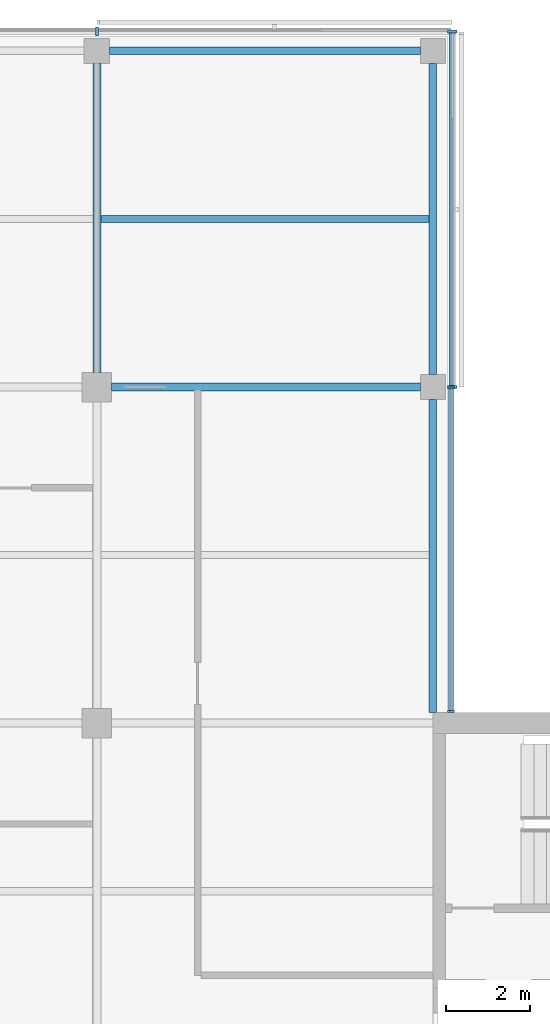
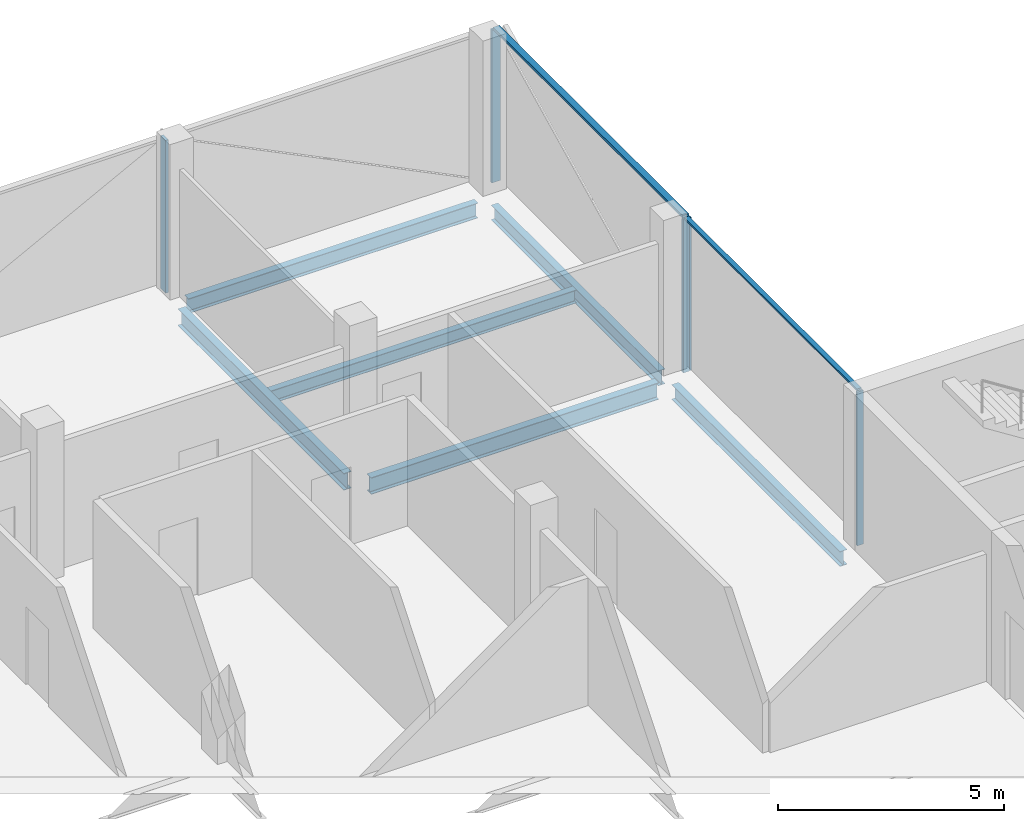
# One storey, part 7 of 16: 7 members, 6 beams, 3 elements without a shape of their own.
"""IFC4 building model written with IfcOpenShell, lengths in metres."""

from ifc_helpers import new_model, si_unit, direction, frame, origin, origin_2d, place, context, subcontext, project, spatial, rectangle, i_section, extrude, material, material_profile, profile_set, type_object, element, aggregate, save


model = new_model("IFC4")

# Units and contexts
model_context = context("Model", 3, precision=1e-05, world=origin(), true_north=direction((0.0, 1.0)))
body_context = subcontext(model_context, "Body", "Model", "MODEL_VIEW")
ifc_project = project(units=[si_unit("LENGTHUNIT", "METRE"), si_unit("AREAUNIT", "SQUARE_METRE"), si_unit("VOLUMEUNIT", "CUBIC_METRE"), si_unit("PLANEANGLEUNIT", "RADIAN"), si_unit("MASSUNIT", "GRAM", prefix="KILO")], contexts=[model_context])

# Site, building, storey
site_placement = place(None, origin())
site = spatial("IfcSite", under=ifc_project, at=site_placement, CompositionType="ELEMENT")
building_placement = place(site_placement, origin())
building = spatial("IfcBuilding", under=site, at=building_placement, Name="Crosswind Convention Tower", CompositionType="ELEMENT")
storey_placement = place(building_placement, frame((0.0, 0.0, 249.300048828125)))
storey = spatial("IfcBuildingStorey", under=building, at=storey_placement, Name="L53", CompositionType="ELEMENT", Elevation=249.300048828125)

# Beams
ifc_material_1 = material(Name="Steel S355", Category="steel")
ifc_material_profile_1 = material_profile(ifc_material_1, i_section(OverallWidth=0.177734375, OverallDepth=0.406494140625, WebThickness=0.0078125, FlangeThickness=0.0126953125, FilletRadius=0.01025390625, at=origin_2d()), Name="UB 406x178x60")
ifc_profile_set_1 = profile_set([ifc_material_profile_1], Name="Steel S355")
beam_type_1 = type_object("IfcBeamType", Name="Edge beam UB 406x178x60", PredefinedType="SPANDREL", material=ifc_profile_set_1)
beam_1_placement = place(storey_placement, frame((129.300048828125, 128.0, -0.503173828125), z_axis=(1.0, 0.0, 0.0), x_axis=(0.0, 1.0, 0.0)))
element("IfcBeam", 1, at=beam_1_placement, inside=storey, type_object=beam_type_1, Name="B15 L53 edge beam 10", PredefinedType="SPANDREL", context=body_context, shape_type="SweptSolid", body=[
    extrude(i_section(OverallWidth=0.177734375, OverallDepth=0.406494140625, WebThickness=0.0078125, FlangeThickness=0.0126953125, FilletRadius=0.01025390625, at=origin_2d()), origin(), (0.0, 0.0, 1.0), 7.39990234375),
])
beam_2_placement = place(storey_placement, frame((137.0, 112.25, -0.503173828125), z_axis=(0.0, 1.0, 0.0), x_axis=(-1.0, 0.0, 0.0)))
element("IfcBeam", 2, at=beam_2_placement, inside=storey, type_object=beam_type_1, Name="B15 L53 edge beam 13", PredefinedType="SPANDREL", context=body_context, shape_type="SweptSolid", body=[
    extrude(i_section(OverallWidth=0.177734375, OverallDepth=0.406494140625, WebThickness=0.0078125, FlangeThickness=0.0126953125, FilletRadius=0.01025390625, at=origin_2d()), origin(), (0.0, 0.0, 1.0), 7.449951171875),
])
beam_3_placement = place(storey_placement, frame((137.0, 120.300048828125, -0.503173828125), z_axis=(0.0, 1.0, 0.0), x_axis=(-1.0, 0.0, 0.0)))
element("IfcBeam", 3, at=beam_3_placement, inside=storey, type_object=beam_type_1, Name="B15 L53 edge beam 14", PredefinedType="SPANDREL", context=body_context, shape_type="SweptSolid", body=[
    extrude(i_section(OverallWidth=0.177734375, OverallDepth=0.406494140625, WebThickness=0.0078125, FlangeThickness=0.0126953125, FilletRadius=0.01025390625, at=origin_2d()), origin(), (0.0, 0.0, 1.0), 7.39990234375),
])
ifc_material_profile_2 = material_profile(ifc_material_1, i_section(OverallWidth=0.18994140625, OverallDepth=0.45361328125, WebThickness=0.008544921875, FlangeThickness=0.0126953125, FilletRadius=0.01025390625, at=origin_2d()), Name="UB 457x191x67")
ifc_profile_set_2 = profile_set([ifc_material_profile_2], Name="Steel S355")
beam_type_2 = type_object("IfcBeamType", Name="Girder UB 457x191x67", PredefinedType="BEAM", material=ifc_profile_set_2)
for number, where, z_axis, x_axis, name in (
    (4, (129.0, 120.35009765625, -0.52685546875), (0.0, 1.0, 0.0), (-1.0, 0.0, 0.0), "B1 L53 girder 22"),
    (5, (129.35009765625, 120.0, -0.52685546875), (1.0, 0.0, 0.0), (0.0, 1.0, 0.0), "B1 L53 girder 24"),
):
    element("IfcBeam", number, at=place(storey_placement, frame(where, z_axis=z_axis, x_axis=x_axis)), inside=storey, type_object=beam_type_2, Name=name, PredefinedType="BEAM", context=body_context, shape_type="SweptSolid", body=[
        extrude(i_section(OverallWidth=0.18994140625, OverallDepth=0.45361328125, WebThickness=0.008544921875, FlangeThickness=0.0126953125, FilletRadius=0.01025390625, at=origin_2d()), origin(), (0.0, 0.0, 1.0), 7.349853515625),
    ])

# Curtain wall, members
ifc_material_2 = material(Name="Aluminium unitised curtain wall", Category="aluminium")
curtain_wall_type_1 = type_object("IfcCurtainWallType", Name="CORE END SLOT WALL 160", PredefinedType="USERDEFINED", material=ifc_material_2)
curtain_wall_1_placement = place(storey_placement, origin())
curtain_wall_1 = element("IfcCurtainWall", 6, at=curtain_wall_1_placement, inside=storey, type_object=curtain_wall_type_1, Name="CW6 L53 N-E.1-1 slot", ObjectType="UNITISED", PredefinedType="USERDEFINED")
ifc_material_3 = material(Name="Aluminium mullion", Category="aluminium")
ifc_material_profile_3 = material_profile(ifc_material_3, rectangle(XDim=0.159912109375, YDim=0.050048828125, at=origin_2d()), Name="AL 160X50")
ifc_profile_set_3 = profile_set([ifc_material_profile_3], Name="Aluminium mullion")
member_type_1 = type_object("IfcMemberType", Name="MULLION 50X160", PredefinedType="MULLION", material=ifc_profile_set_3)
member_1_placement = place(storey_placement, frame((137.429931640625, 112.27490234375, -0.300048828125), z_axis=(0.0, 0.0, 1.0), x_axis=(1.0, 0.0, 0.0)))
member_1 = element("IfcMember", 7, at=member_1_placement, type_object=member_type_1, Name="CW6 mullion 1", PredefinedType="MULLION", context=body_context, shape_type="SweptSolid", body=[
    extrude(rectangle(XDim=0.159912109375, YDim=0.050048828125, at=origin_2d()), origin(), (0.0, 0.0, 1.0), 4.14990234375),
])
member_2_placement = place(storey_placement, frame((137.429931640625, 119.97509765625, -0.300048828125), z_axis=(0.0, 0.0, 1.0), x_axis=(1.0, 0.0, 0.0)))
member_2 = element("IfcMember", 8, at=member_2_placement, type_object=member_type_1, Name="CW6 mullion 2", PredefinedType="MULLION", context=body_context, shape_type="SweptSolid", body=[
    extrude(rectangle(XDim=0.159912109375, YDim=0.050048828125, at=origin_2d()), origin(), (0.0, 0.0, 1.0), 4.14990234375),
])

curtain_wall_type_2 = type_object("IfcCurtainWallType", Name="OFFICE UNITISED WALL 220", PredefinedType="USERDEFINED", material=ifc_material_2)
curtain_wall_2_placement = place(storey_placement, origin())
curtain_wall_2 = element("IfcCurtainWall", 9, at=curtain_wall_2_placement, inside=storey, type_object=curtain_wall_type_2, Name="CW3 L53 N-E 1", ObjectType="UNITISED", PredefinedType="USERDEFINED")
ifc_material_profile_4 = material_profile(ifc_material_3, rectangle(XDim=0.219970703125, YDim=0.070068359375, at=origin_2d()), Name="AL 220X70")
ifc_profile_set_4 = profile_set([ifc_material_profile_4], Name="Aluminium mullion")
member_type_2 = type_object("IfcMemberType", Name="MULLION 70X220", PredefinedType="MULLION", material=ifc_profile_set_4)
member_3_placement = place(storey_placement, frame((137.4599609375, 120.0, -0.300048828125), z_axis=(0.0, 0.0, 1.0), x_axis=(1.0, 0.0, 0.0)))
member_3 = element("IfcMember", 10, at=member_3_placement, type_object=member_type_2, Name="CW3 mullion 1", PredefinedType="MULLION", context=body_context, shape_type="SweptSolid", body=[
    extrude(rectangle(XDim=0.219970703125, YDim=0.070068359375, at=origin_2d()), origin(), (0.0, 0.0, 1.0), 4.1298828125),
])
member_4_placement = place(storey_placement, frame((137.4599609375, 128.4599609375, -0.300048828125), z_axis=(0.0, 0.0, 1.0), x_axis=(1.0, 0.0, 0.0)))
member_4 = element("IfcMember", 11, at=member_4_placement, type_object=member_type_2, Name="CW3 mullion 2", PredefinedType="MULLION", context=body_context, shape_type="SweptSolid", body=[
    extrude(rectangle(XDim=0.219970703125, YDim=0.070068359375, at=origin_2d()), origin(), (0.0, 0.0, 1.0), 4.1298828125),
])

# Curtain wall, member
curtain_wall_3_placement = place(storey_placement, origin())
curtain_wall_3 = element("IfcCurtainWall", 12, at=curtain_wall_3_placement, inside=storey, type_object=curtain_wall_type_2, Name="CW3 L53 N-TIP 1", ObjectType="UNITISED", PredefinedType="USERDEFINED")
member_5_placement = place(storey_placement, frame((129.0, 128.4599609375, -0.300048828125), z_axis=(0.0, 0.0, 1.0), x_axis=(0.0, 1.0, 0.0)))
member_5 = element("IfcMember", 13, at=member_5_placement, type_object=member_type_2, Name="CW3 mullion 2", PredefinedType="MULLION", context=body_context, shape_type="SweptSolid", body=[
    extrude(rectangle(XDim=0.219970703125, YDim=0.070068359375, at=origin_2d()), origin(), (0.0, 0.0, 1.0), 4.1298828125),
])
aggregate(curtain_wall_3, [member_5])

# Beam
ifc_material_profile_5 = material_profile(ifc_material_1, i_section(OverallWidth=0.17138671875, OverallDepth=0.355712890625, WebThickness=0.00732421875, FlangeThickness=0.011474609375, FilletRadius=0.01025390625, at=origin_2d()), Name="UB 356x171x51")
ifc_profile_set_5 = profile_set([ifc_material_profile_5], Name="Steel S355")
beam_type_3 = type_object("IfcBeamType", Name="Secondary beam UB 356x171x51", PredefinedType="JOIST", material=ifc_profile_set_5)
beam_4_placement = place(storey_placement, frame((129.094970703125, 124.0, -0.477783203125), z_axis=(1.0, 0.0, 0.0), x_axis=(0.0, 1.0, 0.0)))
element("IfcBeam", 14, at=beam_4_placement, inside=storey, type_object=beam_type_3, Name="B8 L53 secondary beam 21", PredefinedType="JOIST", context=body_context, shape_type="SweptSolid", body=[
    extrude(i_section(OverallWidth=0.17138671875, OverallDepth=0.355712890625, WebThickness=0.00732421875, FlangeThickness=0.011474609375, FilletRadius=0.01025390625, at=origin_2d()), origin(), (0.0, 0.0, 1.0), 7.816162109375),
])

# Member
ifc_material_4 = material(Name="Aluminium transom", Category="aluminium")
ifc_material_profile_6 = material_profile(ifc_material_4, rectangle(XDim=0.1201171875, YDim=0.050048828125, at=origin_2d()), Name="AL 120X50")
ifc_profile_set_6 = profile_set([ifc_material_profile_6], Name="Aluminium transom")
member_type_3 = type_object("IfcMemberType", Name="TRANSOM 50X120", PredefinedType="USERDEFINED", material=ifc_profile_set_6)
member_6_placement = place(storey_placement, frame((137.429931640625, 112.300048828125, 3.875), z_axis=(0.0, 1.0, 0.0), x_axis=(-1.0, 0.0, 0.0)))
member_6 = element("IfcMember", 15, at=member_6_placement, type_object=member_type_3, Name="CW6 transom", ObjectType="TRANSOM", PredefinedType="USERDEFINED", context=body_context, shape_type="SweptSolid", body=[
    extrude(rectangle(XDim=0.1201171875, YDim=0.050048828125, at=origin_2d()), origin(), (0.0, 0.0, 1.0), 7.64990234375),
])

aggregate(curtain_wall_1, [member_1, member_2, member_6])

ifc_material_profile_7 = material_profile(ifc_material_4, rectangle(XDim=0.159912109375, YDim=0.070068359375, at=origin_2d()), Name="AL 160X70")
ifc_profile_set_7 = profile_set([ifc_material_profile_7], Name="Aluminium transom")
member_type_4 = type_object("IfcMemberType", Name="TRANSOM 70X160", PredefinedType="USERDEFINED", material=ifc_profile_set_7)
member_7_placement = place(storey_placement, frame((137.4599609375, 120.034912109375, 3.864990234375), z_axis=(0.0, 1.0, 0.0), x_axis=(-1.0, 0.0, 0.0)))
member_7 = element("IfcMember", 16, at=member_7_placement, type_object=member_type_4, Name="CW3 transom", ObjectType="TRANSOM", PredefinedType="USERDEFINED", context=body_context, shape_type="SweptSolid", body=[
    extrude(rectangle(XDim=0.159912109375, YDim=0.070068359375, at=origin_2d()), origin(), (0.0, 0.0, 1.0), 8.39013671875),
])

aggregate(curtain_wall_2, [member_3, member_4, member_7])

save(model, "model.ifc")
